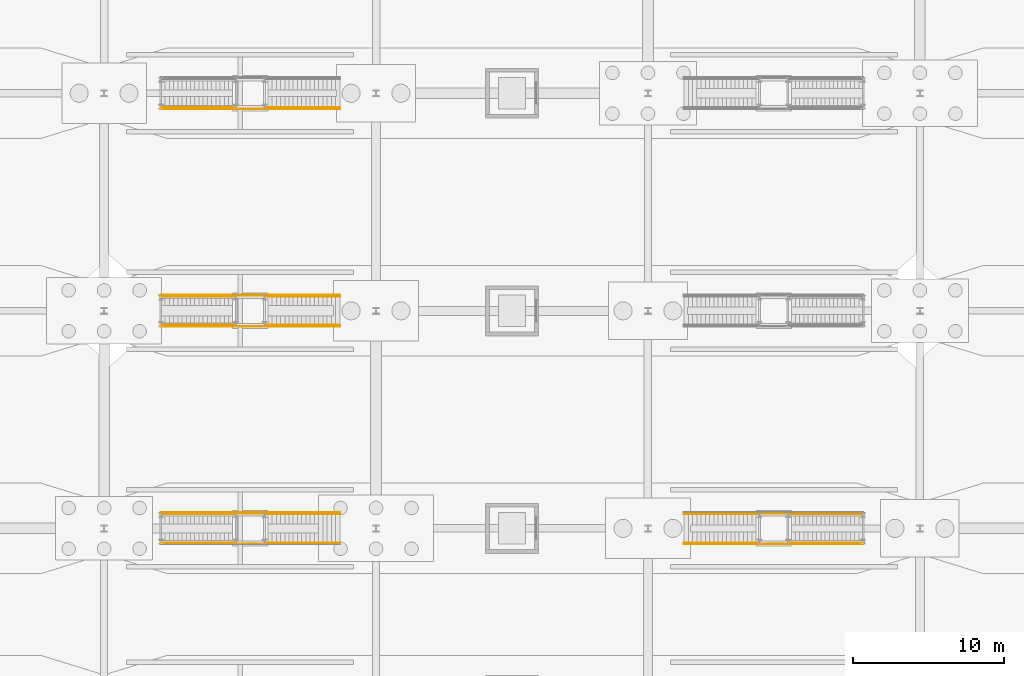
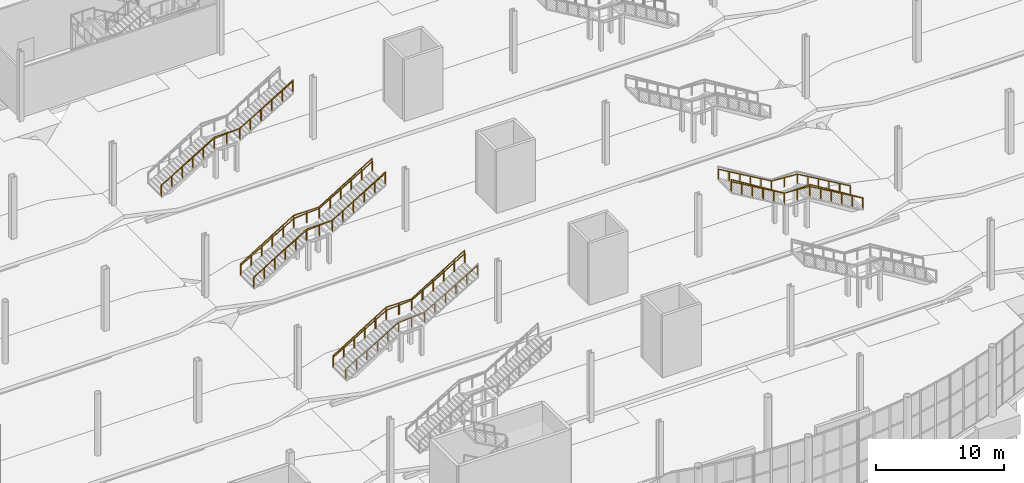
# One storey, part 102 of 115: 12 railings.
"""IFC4 building model written with IfcOpenShell, lengths in metres."""

from ifc_helpers import new_model, si_unit, direction, frame, origin, origin_2d, place, context, subcontext, project, spatial, circle, extrude, material, type_object, element, save


model = new_model("IFC4")

# Units and contexts
model_context = context("Model", 3, precision=1e-05, world=origin(), true_north=direction((0.0, 1.0)))
body_context = subcontext(model_context, "Body", "Model", "MODEL_VIEW")
ifc_project = project(units=[si_unit("LENGTHUNIT", "METRE"), si_unit("AREAUNIT", "SQUARE_METRE"), si_unit("VOLUMEUNIT", "CUBIC_METRE"), si_unit("PLANEANGLEUNIT", "RADIAN"), si_unit("MASSUNIT", "GRAM", prefix="KILO")], contexts=[model_context])

# Site, building, storey
site_placement = place(None, origin())
site = spatial("IfcSite", under=ifc_project, at=site_placement, CompositionType="ELEMENT")
building_placement = place(site_placement, origin())
building = spatial("IfcBuilding", under=site, at=building_placement, Name="Tamarisk Ironworks Central Station", CompositionType="ELEMENT")
storey_placement = place(building_placement, origin())
storey = spatial("IfcBuildingStorey", under=building, at=storey_placement, Name="L00", CompositionType="ELEMENT", Elevation=0.0)

# Railings
ifc_material = material(Name="Brushed stainless steel AISI 316", Category="steel")
railing_type_1 = type_object("IfcRailingType", Name="RL-GUARD-INT", PredefinedType="BALUSTRADE", material=ifc_material)
railing_1_placement = place(storey_placement, frame((57.760009765625, 37.0400390625, 0.719970703125)))
element("IfcRailing", 1, at=railing_1_placement, inside=storey, type_object=railing_type_1, Name="ST-P2A flight guard N", PredefinedType="BALUSTRADE", context=body_context, shape_type="SweptSolid", body=[
    extrude(circle(Radius=0.02392578125, at=origin_2d()), frame((0.0, 0.0, 1.09619140625), z_axis=(0.850803161698, 0.0, 0.525484519319), x_axis=(0.0, 1.0, 0.0)), (0.0, 0.0, 1.0), 5.5947265625),
    extrude(circle(Radius=0.02392578125, at=origin_2d()), frame((4.760009765625, 0.0, 4.0361328125), z_axis=(1.0, 0.0, 0.0), x_axis=(0.0, 1.0, 0.0)), (0.0, 0.0, 1.0), 2.320068359375),
    extrude(circle(Radius=0.02392578125, at=origin_2d()), frame((7.080078125, 0.0, 4.0361328125), z_axis=(0.850783651871, 0.0, 0.525516106041), x_axis=(0.0, 1.0, 0.0)), (0.0, 0.0, 1.0), 5.594970703125),
    extrude(circle(Radius=0.02099609375, at=origin_2d()), origin(), (0.0, 0.0, 1.0), 1.072021484375),
    extrude(circle(Radius=0.02099609375, at=origin_2d()), frame((0.951904296875, 0.0, 0.587890625)), (0.0, 0.0, 1.0), 1.072021484375),
    extrude(circle(Radius=0.02099609375, at=origin_2d()), frame((1.904052734375, 0.0, 1.176025390625)), (0.0, 0.0, 1.0), 1.072021484375),
    extrude(circle(Radius=0.02099609375, at=origin_2d()), frame((2.85595703125, 0.0, 1.763916015625)), (0.0, 0.0, 1.0), 1.072021484375),
    extrude(circle(Radius=0.02099609375, at=origin_2d()), frame((3.80810546875, 0.0, 2.35205078125)), (0.0, 0.0, 1.0), 1.072021484375),
    extrude(circle(Radius=0.02099609375, at=origin_2d()), frame((4.760009765625, 0.0, 2.93994140625)), (0.0, 0.0, 1.0), 1.072021484375),
    extrude(circle(Radius=0.02099609375, at=origin_2d()), frame((5.919921875, 0.0, 2.93994140625)), (0.0, 0.0, 1.0), 1.072021484375),
    extrude(circle(Radius=0.02099609375, at=origin_2d()), frame((7.080078125, 0.0, 2.93994140625)), (0.0, 0.0, 1.0), 1.072021484375),
    extrude(circle(Radius=0.02099609375, at=origin_2d()), frame((8.031982421875, 0.0, 3.528076171875)), (0.0, 0.0, 1.0), 1.072021484375),
    extrude(circle(Radius=0.02099609375, at=origin_2d()), frame((8.984130859375, 0.0, 4.115966796875)), (0.0, 0.0, 1.0), 1.072021484375),
    extrude(circle(Radius=0.02099609375, at=origin_2d()), frame((9.93603515625, 0.0, 4.7041015625)), (0.0, 0.0, 1.0), 1.072021484375),
    extrude(circle(Radius=0.02099609375, at=origin_2d()), frame((10.88818359375, 0.0, 5.2919921875)), (0.0, 0.0, 1.0), 1.072021484375),
    extrude(circle(Radius=0.02099609375, at=origin_2d()), frame((11.840087890625, 0.0, 5.880126953125)), (0.0, 0.0, 1.0), 1.072021484375),
])
railing_2_placement = place(storey_placement, frame((104.239990234375, 34.9599609375, 0.719970703125)))
element("IfcRailing", 2, at=railing_2_placement, inside=storey, type_object=railing_type_1, Name="ST-P2B flight guard S", PredefinedType="BALUSTRADE", context=body_context, shape_type="SweptSolid", body=[
    extrude(circle(Radius=0.02392578125, at=origin_2d()), frame((0.0, 0.0, 1.09619140625), z_axis=(-0.850803161698, 0.0, 0.525484519319), x_axis=(0.0, -1.0, 0.0)), (0.0, 0.0, 1.0), 5.5947265625),
    extrude(circle(Radius=0.02392578125, at=origin_2d()), frame((-4.760009765625, 0.0, 4.0361328125), z_axis=(-1.0, 0.0, 0.0), x_axis=(0.0, -1.0, 0.0)), (0.0, 0.0, 1.0), 2.320068359375),
    extrude(circle(Radius=0.02392578125, at=origin_2d()), frame((-7.080078125, 0.0, 4.0361328125), z_axis=(-0.850783651871, 0.0, 0.525516106041), x_axis=(0.0, -1.0, 0.0)), (0.0, 0.0, 1.0), 5.594970703125),
    extrude(circle(Radius=0.02099609375, at=origin_2d()), origin(), (0.0, 0.0, 1.0), 1.072021484375),
    extrude(circle(Radius=0.02099609375, at=origin_2d()), frame((-0.951904296875, 0.0, 0.587890625)), (0.0, 0.0, 1.0), 1.072021484375),
    extrude(circle(Radius=0.02099609375, at=origin_2d()), frame((-1.904052734375, 0.0, 1.176025390625)), (0.0, 0.0, 1.0), 1.072021484375),
    extrude(circle(Radius=0.02099609375, at=origin_2d()), frame((-2.85595703125, 0.0, 1.763916015625)), (0.0, 0.0, 1.0), 1.072021484375),
    extrude(circle(Radius=0.02099609375, at=origin_2d()), frame((-3.80810546875, 0.0, 2.35205078125)), (0.0, 0.0, 1.0), 1.072021484375),
    extrude(circle(Radius=0.02099609375, at=origin_2d()), frame((-4.760009765625, 0.0, 2.93994140625)), (0.0, 0.0, 1.0), 1.072021484375),
    extrude(circle(Radius=0.02099609375, at=origin_2d()), frame((-5.919921875, 0.0, 2.93994140625)), (0.0, 0.0, 1.0), 1.072021484375),
    extrude(circle(Radius=0.02099609375, at=origin_2d()), frame((-7.080078125, 0.0, 2.93994140625)), (0.0, 0.0, 1.0), 1.072021484375),
    extrude(circle(Radius=0.02099609375, at=origin_2d()), frame((-8.031982421875, 0.0, 3.528076171875)), (0.0, 0.0, 1.0), 1.072021484375),
    extrude(circle(Radius=0.02099609375, at=origin_2d()), frame((-8.984130859375, 0.0, 4.115966796875)), (0.0, 0.0, 1.0), 1.072021484375),
    extrude(circle(Radius=0.02099609375, at=origin_2d()), frame((-9.93603515625, 0.0, 4.7041015625)), (0.0, 0.0, 1.0), 1.072021484375),
    extrude(circle(Radius=0.02099609375, at=origin_2d()), frame((-10.88818359375, 0.0, 5.2919921875)), (0.0, 0.0, 1.0), 1.072021484375),
    extrude(circle(Radius=0.02099609375, at=origin_2d()), frame((-11.840087890625, 0.0, 5.880126953125)), (0.0, 0.0, 1.0), 1.072021484375),
])
railing_3_placement = place(storey_placement, frame((57.760009765625, 49.360107421875, 0.719970703125)))
element("IfcRailing", 3, at=railing_3_placement, inside=storey, type_object=railing_type_1, Name="ST-P3A flight guard S", PredefinedType="BALUSTRADE", context=body_context, shape_type="SweptSolid", body=[
    extrude(circle(Radius=0.02392578125, at=origin_2d()), frame((0.0, 0.0, 1.09619140625), z_axis=(0.850803161698, 0.0, 0.525484519319), x_axis=(0.0, 1.0, 0.0)), (0.0, 0.0, 1.0), 5.5947265625),
    extrude(circle(Radius=0.02392578125, at=origin_2d()), frame((4.760009765625, 0.0, 4.0361328125), z_axis=(1.0, 0.0, 0.0), x_axis=(0.0, 1.0, 0.0)), (0.0, 0.0, 1.0), 2.320068359375),
    extrude(circle(Radius=0.02392578125, at=origin_2d()), frame((7.080078125, 0.0, 4.0361328125), z_axis=(0.850783651871, 0.0, 0.525516106041), x_axis=(0.0, 1.0, 0.0)), (0.0, 0.0, 1.0), 5.594970703125),
    extrude(circle(Radius=0.02099609375, at=origin_2d()), origin(), (0.0, 0.0, 1.0), 1.072021484375),
    extrude(circle(Radius=0.02099609375, at=origin_2d()), frame((0.951904296875, 0.0, 0.587890625)), (0.0, 0.0, 1.0), 1.072021484375),
    extrude(circle(Radius=0.02099609375, at=origin_2d()), frame((1.904052734375, 0.0, 1.176025390625)), (0.0, 0.0, 1.0), 1.072021484375),
    extrude(circle(Radius=0.02099609375, at=origin_2d()), frame((2.85595703125, 0.0, 1.763916015625)), (0.0, 0.0, 1.0), 1.072021484375),
    extrude(circle(Radius=0.02099609375, at=origin_2d()), frame((3.80810546875, 0.0, 2.35205078125)), (0.0, 0.0, 1.0), 1.072021484375),
    extrude(circle(Radius=0.02099609375, at=origin_2d()), frame((4.760009765625, 0.0, 2.93994140625)), (0.0, 0.0, 1.0), 1.072021484375),
    extrude(circle(Radius=0.02099609375, at=origin_2d()), frame((5.919921875, 0.0, 2.93994140625)), (0.0, 0.0, 1.0), 1.072021484375),
    extrude(circle(Radius=0.02099609375, at=origin_2d()), frame((7.080078125, 0.0, 2.93994140625)), (0.0, 0.0, 1.0), 1.072021484375),
    extrude(circle(Radius=0.02099609375, at=origin_2d()), frame((8.031982421875, 0.0, 3.528076171875)), (0.0, 0.0, 1.0), 1.072021484375),
    extrude(circle(Radius=0.02099609375, at=origin_2d()), frame((8.984130859375, 0.0, 4.115966796875)), (0.0, 0.0, 1.0), 1.072021484375),
    extrude(circle(Radius=0.02099609375, at=origin_2d()), frame((9.93603515625, 0.0, 4.7041015625)), (0.0, 0.0, 1.0), 1.072021484375),
    extrude(circle(Radius=0.02099609375, at=origin_2d()), frame((10.88818359375, 0.0, 5.2919921875)), (0.0, 0.0, 1.0), 1.072021484375),
    extrude(circle(Radius=0.02099609375, at=origin_2d()), frame((11.840087890625, 0.0, 5.880126953125)), (0.0, 0.0, 1.0), 1.072021484375),
])
railing_4_placement = place(storey_placement, frame((57.760009765625, 51.43994140625, 0.719970703125)))
element("IfcRailing", 4, at=railing_4_placement, inside=storey, type_object=railing_type_1, Name="ST-P3A flight guard N", PredefinedType="BALUSTRADE", context=body_context, shape_type="SweptSolid", body=[
    extrude(circle(Radius=0.02392578125, at=origin_2d()), frame((0.0, 0.0, 1.09619140625), z_axis=(0.850803161698, 0.0, 0.525484519319), x_axis=(0.0, 1.0, 0.0)), (0.0, 0.0, 1.0), 5.5947265625),
    extrude(circle(Radius=0.02392578125, at=origin_2d()), frame((4.760009765625, 0.0, 4.0361328125), z_axis=(1.0, 0.0, 0.0), x_axis=(0.0, 1.0, 0.0)), (0.0, 0.0, 1.0), 2.320068359375),
    extrude(circle(Radius=0.02392578125, at=origin_2d()), frame((7.080078125, 0.0, 4.0361328125), z_axis=(0.850783651871, 0.0, 0.525516106041), x_axis=(0.0, 1.0, 0.0)), (0.0, 0.0, 1.0), 5.594970703125),
    extrude(circle(Radius=0.02099609375, at=origin_2d()), origin(), (0.0, 0.0, 1.0), 1.072021484375),
    extrude(circle(Radius=0.02099609375, at=origin_2d()), frame((0.951904296875, 0.0, 0.587890625)), (0.0, 0.0, 1.0), 1.072021484375),
    extrude(circle(Radius=0.02099609375, at=origin_2d()), frame((1.904052734375, 0.0, 1.176025390625)), (0.0, 0.0, 1.0), 1.072021484375),
    extrude(circle(Radius=0.02099609375, at=origin_2d()), frame((2.85595703125, 0.0, 1.763916015625)), (0.0, 0.0, 1.0), 1.072021484375),
    extrude(circle(Radius=0.02099609375, at=origin_2d()), frame((3.80810546875, 0.0, 2.35205078125)), (0.0, 0.0, 1.0), 1.072021484375),
    extrude(circle(Radius=0.02099609375, at=origin_2d()), frame((4.760009765625, 0.0, 2.93994140625)), (0.0, 0.0, 1.0), 1.072021484375),
    extrude(circle(Radius=0.02099609375, at=origin_2d()), frame((5.919921875, 0.0, 2.93994140625)), (0.0, 0.0, 1.0), 1.072021484375),
    extrude(circle(Radius=0.02099609375, at=origin_2d()), frame((7.080078125, 0.0, 2.93994140625)), (0.0, 0.0, 1.0), 1.072021484375),
    extrude(circle(Radius=0.02099609375, at=origin_2d()), frame((8.031982421875, 0.0, 3.528076171875)), (0.0, 0.0, 1.0), 1.072021484375),
    extrude(circle(Radius=0.02099609375, at=origin_2d()), frame((8.984130859375, 0.0, 4.115966796875)), (0.0, 0.0, 1.0), 1.072021484375),
    extrude(circle(Radius=0.02099609375, at=origin_2d()), frame((9.93603515625, 0.0, 4.7041015625)), (0.0, 0.0, 1.0), 1.072021484375),
    extrude(circle(Radius=0.02099609375, at=origin_2d()), frame((10.88818359375, 0.0, 5.2919921875)), (0.0, 0.0, 1.0), 1.072021484375),
    extrude(circle(Radius=0.02099609375, at=origin_2d()), frame((11.840087890625, 0.0, 5.880126953125)), (0.0, 0.0, 1.0), 1.072021484375),
])
railing_5_placement = place(storey_placement, frame((57.760009765625, 63.760009765625, 0.719970703125)))
element("IfcRailing", 5, at=railing_5_placement, inside=storey, type_object=railing_type_1, Name="ST-P4A flight guard S", PredefinedType="BALUSTRADE", context=body_context, shape_type="SweptSolid", body=[
    extrude(circle(Radius=0.02392578125, at=origin_2d()), frame((0.0, 0.0, 1.09619140625), z_axis=(0.850803161698, 0.0, 0.525484519319), x_axis=(0.0, 1.0, 0.0)), (0.0, 0.0, 1.0), 5.5947265625),
    extrude(circle(Radius=0.02392578125, at=origin_2d()), frame((4.760009765625, 0.0, 4.0361328125), z_axis=(1.0, 0.0, 0.0), x_axis=(0.0, 1.0, 0.0)), (0.0, 0.0, 1.0), 2.320068359375),
    extrude(circle(Radius=0.02392578125, at=origin_2d()), frame((7.080078125, 0.0, 4.0361328125), z_axis=(0.850783651871, 0.0, 0.525516106041), x_axis=(0.0, 1.0, 0.0)), (0.0, 0.0, 1.0), 5.594970703125),
    extrude(circle(Radius=0.02099609375, at=origin_2d()), origin(), (0.0, 0.0, 1.0), 1.072021484375),
    extrude(circle(Radius=0.02099609375, at=origin_2d()), frame((0.951904296875, 0.0, 0.587890625)), (0.0, 0.0, 1.0), 1.072021484375),
    extrude(circle(Radius=0.02099609375, at=origin_2d()), frame((1.904052734375, 0.0, 1.176025390625)), (0.0, 0.0, 1.0), 1.072021484375),
    extrude(circle(Radius=0.02099609375, at=origin_2d()), frame((2.85595703125, 0.0, 1.763916015625)), (0.0, 0.0, 1.0), 1.072021484375),
    extrude(circle(Radius=0.02099609375, at=origin_2d()), frame((3.80810546875, 0.0, 2.35205078125)), (0.0, 0.0, 1.0), 1.072021484375),
    extrude(circle(Radius=0.02099609375, at=origin_2d()), frame((4.760009765625, 0.0, 2.93994140625)), (0.0, 0.0, 1.0), 1.072021484375),
    extrude(circle(Radius=0.02099609375, at=origin_2d()), frame((5.919921875, 0.0, 2.93994140625)), (0.0, 0.0, 1.0), 1.072021484375),
    extrude(circle(Radius=0.02099609375, at=origin_2d()), frame((7.080078125, 0.0, 2.93994140625)), (0.0, 0.0, 1.0), 1.072021484375),
    extrude(circle(Radius=0.02099609375, at=origin_2d()), frame((8.031982421875, 0.0, 3.528076171875)), (0.0, 0.0, 1.0), 1.072021484375),
    extrude(circle(Radius=0.02099609375, at=origin_2d()), frame((8.984130859375, 0.0, 4.115966796875)), (0.0, 0.0, 1.0), 1.072021484375),
    extrude(circle(Radius=0.02099609375, at=origin_2d()), frame((9.93603515625, 0.0, 4.7041015625)), (0.0, 0.0, 1.0), 1.072021484375),
    extrude(circle(Radius=0.02099609375, at=origin_2d()), frame((10.88818359375, 0.0, 5.2919921875)), (0.0, 0.0, 1.0), 1.072021484375),
    extrude(circle(Radius=0.02099609375, at=origin_2d()), frame((11.840087890625, 0.0, 5.880126953125)), (0.0, 0.0, 1.0), 1.072021484375),
])
railing_type_2 = type_object("IfcRailingType", Name="RL-HAND", PredefinedType="HANDRAIL", material=ifc_material)
railing_6_placement = place(storey_placement, frame((57.760009765625, 35.0400390625, 0.88330078125)))
element("IfcRailing", 6, at=railing_6_placement, inside=storey, type_object=railing_type_2, Name="ST-P2A handrail S", PredefinedType="HANDRAIL", context=body_context, shape_type="SweptSolid", body=[
    extrude(circle(Radius=0.02392578125, at=origin_2d()), frame((0.0, 0.0, 0.8759765625), z_axis=(0.863783721438, 0.0, 0.503862761651), x_axis=(0.0, 1.0, 0.0)), (0.0, 0.0, 1.0), 5.5107421875),
    extrude(circle(Radius=0.02392578125, at=origin_2d()), frame((4.760009765625, 0.0, 3.65234375), z_axis=(0.997531175799, 0.0, 0.070225019111), x_axis=(0.0, 1.0, 0.0)), (0.0, 0.0, 1.0), 2.325927734375),
    extrude(circle(Radius=0.02392578125, at=origin_2d()), frame((7.080078125, 0.0, 3.81591796875), z_axis=(0.863764439128, 0.0, 0.503895816313), x_axis=(0.0, 1.0, 0.0)), (0.0, 0.0, 1.0), 5.5107421875),
    extrude(circle(Radius=0.02099609375, at=origin_2d()), origin(), (0.0, 0.0, 1.0), 0.851806640625),
    extrude(circle(Radius=0.02099609375, at=origin_2d()), frame((0.951904296875, 0.0, 0.555419921875)), (0.0, 0.0, 1.0), 0.851806640625),
    extrude(circle(Radius=0.02099609375, at=origin_2d()), frame((1.904052734375, 0.0, 1.110595703125)), (0.0, 0.0, 1.0), 0.851806640625),
    extrude(circle(Radius=0.02099609375, at=origin_2d()), frame((2.85595703125, 0.0, 1.666015625)), (0.0, 0.0, 1.0), 0.851806640625),
    extrude(circle(Radius=0.02099609375, at=origin_2d()), frame((3.80810546875, 0.0, 2.22119140625)), (0.0, 0.0, 1.0), 0.851806640625),
    extrude(circle(Radius=0.02099609375, at=origin_2d()), frame((4.760009765625, 0.0, 2.776611328125)), (0.0, 0.0, 1.0), 0.851806640625),
    extrude(circle(Radius=0.02099609375, at=origin_2d()), frame((5.919921875, 0.0, 2.8583984375)), (0.0, 0.0, 1.0), 0.851806640625),
    extrude(circle(Radius=0.02099609375, at=origin_2d()), frame((7.080078125, 0.0, 2.93994140625)), (0.0, 0.0, 1.0), 0.851806640625),
    extrude(circle(Radius=0.02099609375, at=origin_2d()), frame((8.031982421875, 0.0, 3.495361328125)), (0.0, 0.0, 1.0), 0.851806640625),
    extrude(circle(Radius=0.02099609375, at=origin_2d()), frame((8.984130859375, 0.0, 4.05078125)), (0.0, 0.0, 1.0), 0.851806640625),
    extrude(circle(Radius=0.02099609375, at=origin_2d()), frame((9.93603515625, 0.0, 4.60595703125)), (0.0, 0.0, 1.0), 0.851806640625),
    extrude(circle(Radius=0.02099609375, at=origin_2d()), frame((10.88818359375, 0.0, 5.161376953125)), (0.0, 0.0, 1.0), 0.851806640625),
    extrude(circle(Radius=0.02099609375, at=origin_2d()), frame((11.840087890625, 0.0, 5.716796875)), (0.0, 0.0, 1.0), 0.851806640625),
])
railing_7_placement = place(storey_placement, frame((57.760009765625, 36.9599609375, 0.88330078125)))
element("IfcRailing", 7, at=railing_7_placement, inside=storey, type_object=railing_type_2, Name="ST-P2A handrail N", PredefinedType="HANDRAIL", context=body_context, shape_type="SweptSolid", body=[
    extrude(circle(Radius=0.02392578125, at=origin_2d()), frame((0.0, 0.0, 0.8759765625), z_axis=(0.863783721438, 0.0, 0.503862761651), x_axis=(0.0, 1.0, 0.0)), (0.0, 0.0, 1.0), 5.5107421875),
    extrude(circle(Radius=0.02392578125, at=origin_2d()), frame((4.760009765625, 0.0, 3.65234375), z_axis=(0.997531175799, 0.0, 0.070225019111), x_axis=(0.0, 1.0, 0.0)), (0.0, 0.0, 1.0), 2.325927734375),
    extrude(circle(Radius=0.02392578125, at=origin_2d()), frame((7.080078125, 0.0, 3.81591796875), z_axis=(0.863764439128, 0.0, 0.503895816313), x_axis=(0.0, 1.0, 0.0)), (0.0, 0.0, 1.0), 5.5107421875),
    extrude(circle(Radius=0.02099609375, at=origin_2d()), origin(), (0.0, 0.0, 1.0), 0.851806640625),
    extrude(circle(Radius=0.02099609375, at=origin_2d()), frame((0.951904296875, 0.0, 0.555419921875)), (0.0, 0.0, 1.0), 0.851806640625),
    extrude(circle(Radius=0.02099609375, at=origin_2d()), frame((1.904052734375, 0.0, 1.110595703125)), (0.0, 0.0, 1.0), 0.851806640625),
    extrude(circle(Radius=0.02099609375, at=origin_2d()), frame((2.85595703125, 0.0, 1.666015625)), (0.0, 0.0, 1.0), 0.851806640625),
    extrude(circle(Radius=0.02099609375, at=origin_2d()), frame((3.80810546875, 0.0, 2.22119140625)), (0.0, 0.0, 1.0), 0.851806640625),
    extrude(circle(Radius=0.02099609375, at=origin_2d()), frame((4.760009765625, 0.0, 2.776611328125)), (0.0, 0.0, 1.0), 0.851806640625),
    extrude(circle(Radius=0.02099609375, at=origin_2d()), frame((5.919921875, 0.0, 2.8583984375)), (0.0, 0.0, 1.0), 0.851806640625),
    extrude(circle(Radius=0.02099609375, at=origin_2d()), frame((7.080078125, 0.0, 2.93994140625)), (0.0, 0.0, 1.0), 0.851806640625),
    extrude(circle(Radius=0.02099609375, at=origin_2d()), frame((8.031982421875, 0.0, 3.495361328125)), (0.0, 0.0, 1.0), 0.851806640625),
    extrude(circle(Radius=0.02099609375, at=origin_2d()), frame((8.984130859375, 0.0, 4.05078125)), (0.0, 0.0, 1.0), 0.851806640625),
    extrude(circle(Radius=0.02099609375, at=origin_2d()), frame((9.93603515625, 0.0, 4.60595703125)), (0.0, 0.0, 1.0), 0.851806640625),
    extrude(circle(Radius=0.02099609375, at=origin_2d()), frame((10.88818359375, 0.0, 5.161376953125)), (0.0, 0.0, 1.0), 0.851806640625),
    extrude(circle(Radius=0.02099609375, at=origin_2d()), frame((11.840087890625, 0.0, 5.716796875)), (0.0, 0.0, 1.0), 0.851806640625),
])
railing_8_placement = place(storey_placement, frame((104.239990234375, 35.0400390625, 0.88330078125)))
element("IfcRailing", 8, at=railing_8_placement, inside=storey, type_object=railing_type_2, Name="ST-P2B handrail S", PredefinedType="HANDRAIL", context=body_context, shape_type="SweptSolid", body=[
    extrude(circle(Radius=0.02392578125, at=origin_2d()), frame((0.0, 0.0, 0.8759765625), z_axis=(-0.863783721438, 0.0, 0.503862761651), x_axis=(0.0, -1.0, 0.0)), (0.0, 0.0, 1.0), 5.5107421875),
    extrude(circle(Radius=0.02392578125, at=origin_2d()), frame((-4.760009765625, 0.0, 3.65234375), z_axis=(-0.997531175799, 0.0, 0.070225019111), x_axis=(0.0, -1.0, 0.0)), (0.0, 0.0, 1.0), 2.325927734375),
    extrude(circle(Radius=0.02392578125, at=origin_2d()), frame((-7.080078125, 0.0, 3.81591796875), z_axis=(-0.863764439128, 0.0, 0.503895816313), x_axis=(0.0, -1.0, 0.0)), (0.0, 0.0, 1.0), 5.5107421875),
    extrude(circle(Radius=0.02099609375, at=origin_2d()), origin(), (0.0, 0.0, 1.0), 0.851806640625),
    extrude(circle(Radius=0.02099609375, at=origin_2d()), frame((-0.951904296875, 0.0, 0.555419921875)), (0.0, 0.0, 1.0), 0.851806640625),
    extrude(circle(Radius=0.02099609375, at=origin_2d()), frame((-1.904052734375, 0.0, 1.110595703125)), (0.0, 0.0, 1.0), 0.851806640625),
    extrude(circle(Radius=0.02099609375, at=origin_2d()), frame((-2.85595703125, 0.0, 1.666015625)), (0.0, 0.0, 1.0), 0.851806640625),
    extrude(circle(Radius=0.02099609375, at=origin_2d()), frame((-3.80810546875, 0.0, 2.22119140625)), (0.0, 0.0, 1.0), 0.851806640625),
    extrude(circle(Radius=0.02099609375, at=origin_2d()), frame((-4.760009765625, 0.0, 2.776611328125)), (0.0, 0.0, 1.0), 0.851806640625),
    extrude(circle(Radius=0.02099609375, at=origin_2d()), frame((-5.919921875, 0.0, 2.8583984375)), (0.0, 0.0, 1.0), 0.851806640625),
    extrude(circle(Radius=0.02099609375, at=origin_2d()), frame((-7.080078125, 0.0, 2.93994140625)), (0.0, 0.0, 1.0), 0.851806640625),
    extrude(circle(Radius=0.02099609375, at=origin_2d()), frame((-8.031982421875, 0.0, 3.495361328125)), (0.0, 0.0, 1.0), 0.851806640625),
    extrude(circle(Radius=0.02099609375, at=origin_2d()), frame((-8.984130859375, 0.0, 4.05078125)), (0.0, 0.0, 1.0), 0.851806640625),
    extrude(circle(Radius=0.02099609375, at=origin_2d()), frame((-9.93603515625, 0.0, 4.60595703125)), (0.0, 0.0, 1.0), 0.851806640625),
    extrude(circle(Radius=0.02099609375, at=origin_2d()), frame((-10.88818359375, 0.0, 5.161376953125)), (0.0, 0.0, 1.0), 0.851806640625),
    extrude(circle(Radius=0.02099609375, at=origin_2d()), frame((-11.840087890625, 0.0, 5.716796875)), (0.0, 0.0, 1.0), 0.851806640625),
])
railing_9_placement = place(storey_placement, frame((104.239990234375, 36.9599609375, 0.88330078125)))
element("IfcRailing", 9, at=railing_9_placement, inside=storey, type_object=railing_type_2, Name="ST-P2B handrail N", PredefinedType="HANDRAIL", context=body_context, shape_type="SweptSolid", body=[
    extrude(circle(Radius=0.02392578125, at=origin_2d()), frame((0.0, 0.0, 0.8759765625), z_axis=(-0.863783721438, 0.0, 0.503862761651), x_axis=(0.0, -1.0, 0.0)), (0.0, 0.0, 1.0), 5.5107421875),
    extrude(circle(Radius=0.02392578125, at=origin_2d()), frame((-4.760009765625, 0.0, 3.65234375), z_axis=(-0.997531175799, 0.0, 0.070225019111), x_axis=(0.0, -1.0, 0.0)), (0.0, 0.0, 1.0), 2.325927734375),
    extrude(circle(Radius=0.02392578125, at=origin_2d()), frame((-7.080078125, 0.0, 3.81591796875), z_axis=(-0.863764439128, 0.0, 0.503895816313), x_axis=(0.0, -1.0, 0.0)), (0.0, 0.0, 1.0), 5.5107421875),
    extrude(circle(Radius=0.02099609375, at=origin_2d()), origin(), (0.0, 0.0, 1.0), 0.851806640625),
    extrude(circle(Radius=0.02099609375, at=origin_2d()), frame((-0.951904296875, 0.0, 0.555419921875)), (0.0, 0.0, 1.0), 0.851806640625),
    extrude(circle(Radius=0.02099609375, at=origin_2d()), frame((-1.904052734375, 0.0, 1.110595703125)), (0.0, 0.0, 1.0), 0.851806640625),
    extrude(circle(Radius=0.02099609375, at=origin_2d()), frame((-2.85595703125, 0.0, 1.666015625)), (0.0, 0.0, 1.0), 0.851806640625),
    extrude(circle(Radius=0.02099609375, at=origin_2d()), frame((-3.80810546875, 0.0, 2.22119140625)), (0.0, 0.0, 1.0), 0.851806640625),
    extrude(circle(Radius=0.02099609375, at=origin_2d()), frame((-4.760009765625, 0.0, 2.776611328125)), (0.0, 0.0, 1.0), 0.851806640625),
    extrude(circle(Radius=0.02099609375, at=origin_2d()), frame((-5.919921875, 0.0, 2.8583984375)), (0.0, 0.0, 1.0), 0.851806640625),
    extrude(circle(Radius=0.02099609375, at=origin_2d()), frame((-7.080078125, 0.0, 2.93994140625)), (0.0, 0.0, 1.0), 0.851806640625),
    extrude(circle(Radius=0.02099609375, at=origin_2d()), frame((-8.031982421875, 0.0, 3.495361328125)), (0.0, 0.0, 1.0), 0.851806640625),
    extrude(circle(Radius=0.02099609375, at=origin_2d()), frame((-8.984130859375, 0.0, 4.05078125)), (0.0, 0.0, 1.0), 0.851806640625),
    extrude(circle(Radius=0.02099609375, at=origin_2d()), frame((-9.93603515625, 0.0, 4.60595703125)), (0.0, 0.0, 1.0), 0.851806640625),
    extrude(circle(Radius=0.02099609375, at=origin_2d()), frame((-10.88818359375, 0.0, 5.161376953125)), (0.0, 0.0, 1.0), 0.851806640625),
    extrude(circle(Radius=0.02099609375, at=origin_2d()), frame((-11.840087890625, 0.0, 5.716796875)), (0.0, 0.0, 1.0), 0.851806640625),
])
railing_10_placement = place(storey_placement, frame((57.760009765625, 49.43994140625, 0.88330078125)))
element("IfcRailing", 10, at=railing_10_placement, inside=storey, type_object=railing_type_2, Name="ST-P3A handrail S", PredefinedType="HANDRAIL", context=body_context, shape_type="SweptSolid", body=[
    extrude(circle(Radius=0.02392578125, at=origin_2d()), frame((0.0, 0.0, 0.8759765625), z_axis=(0.863783721438, 0.0, 0.503862761651), x_axis=(0.0, 1.0, 0.0)), (0.0, 0.0, 1.0), 5.5107421875),
    extrude(circle(Radius=0.02392578125, at=origin_2d()), frame((4.760009765625, 0.0, 3.65234375), z_axis=(0.997531175799, 0.0, 0.070225019111), x_axis=(0.0, 1.0, 0.0)), (0.0, 0.0, 1.0), 2.325927734375),
    extrude(circle(Radius=0.02392578125, at=origin_2d()), frame((7.080078125, 0.0, 3.81591796875), z_axis=(0.863764439128, 0.0, 0.503895816313), x_axis=(0.0, 1.0, 0.0)), (0.0, 0.0, 1.0), 5.5107421875),
    extrude(circle(Radius=0.02099609375, at=origin_2d()), origin(), (0.0, 0.0, 1.0), 0.851806640625),
    extrude(circle(Radius=0.02099609375, at=origin_2d()), frame((0.951904296875, 0.0, 0.555419921875)), (0.0, 0.0, 1.0), 0.851806640625),
    extrude(circle(Radius=0.02099609375, at=origin_2d()), frame((1.904052734375, 0.0, 1.110595703125)), (0.0, 0.0, 1.0), 0.851806640625),
    extrude(circle(Radius=0.02099609375, at=origin_2d()), frame((2.85595703125, 0.0, 1.666015625)), (0.0, 0.0, 1.0), 0.851806640625),
    extrude(circle(Radius=0.02099609375, at=origin_2d()), frame((3.80810546875, 0.0, 2.22119140625)), (0.0, 0.0, 1.0), 0.851806640625),
    extrude(circle(Radius=0.02099609375, at=origin_2d()), frame((4.760009765625, 0.0, 2.776611328125)), (0.0, 0.0, 1.0), 0.851806640625),
    extrude(circle(Radius=0.02099609375, at=origin_2d()), frame((5.919921875, 0.0, 2.8583984375)), (0.0, 0.0, 1.0), 0.851806640625),
    extrude(circle(Radius=0.02099609375, at=origin_2d()), frame((7.080078125, 0.0, 2.93994140625)), (0.0, 0.0, 1.0), 0.851806640625),
    extrude(circle(Radius=0.02099609375, at=origin_2d()), frame((8.031982421875, 0.0, 3.495361328125)), (0.0, 0.0, 1.0), 0.851806640625),
    extrude(circle(Radius=0.02099609375, at=origin_2d()), frame((8.984130859375, 0.0, 4.05078125)), (0.0, 0.0, 1.0), 0.851806640625),
    extrude(circle(Radius=0.02099609375, at=origin_2d()), frame((9.93603515625, 0.0, 4.60595703125)), (0.0, 0.0, 1.0), 0.851806640625),
    extrude(circle(Radius=0.02099609375, at=origin_2d()), frame((10.88818359375, 0.0, 5.161376953125)), (0.0, 0.0, 1.0), 0.851806640625),
    extrude(circle(Radius=0.02099609375, at=origin_2d()), frame((11.840087890625, 0.0, 5.716796875)), (0.0, 0.0, 1.0), 0.851806640625),
])
railing_11_placement = place(storey_placement, frame((57.760009765625, 51.360107421875, 0.88330078125)))
element("IfcRailing", 11, at=railing_11_placement, inside=storey, type_object=railing_type_2, Name="ST-P3A handrail N", PredefinedType="HANDRAIL", context=body_context, shape_type="SweptSolid", body=[
    extrude(circle(Radius=0.02392578125, at=origin_2d()), frame((0.0, 0.0, 0.8759765625), z_axis=(0.863783721438, 0.0, 0.503862761651), x_axis=(0.0, 1.0, 0.0)), (0.0, 0.0, 1.0), 5.5107421875),
    extrude(circle(Radius=0.02392578125, at=origin_2d()), frame((4.760009765625, 0.0, 3.65234375), z_axis=(0.997531175799, 0.0, 0.070225019111), x_axis=(0.0, 1.0, 0.0)), (0.0, 0.0, 1.0), 2.325927734375),
    extrude(circle(Radius=0.02392578125, at=origin_2d()), frame((7.080078125, 0.0, 3.81591796875), z_axis=(0.863764439128, 0.0, 0.503895816313), x_axis=(0.0, 1.0, 0.0)), (0.0, 0.0, 1.0), 5.5107421875),
    extrude(circle(Radius=0.02099609375, at=origin_2d()), origin(), (0.0, 0.0, 1.0), 0.851806640625),
    extrude(circle(Radius=0.02099609375, at=origin_2d()), frame((0.951904296875, 0.0, 0.555419921875)), (0.0, 0.0, 1.0), 0.851806640625),
    extrude(circle(Radius=0.02099609375, at=origin_2d()), frame((1.904052734375, 0.0, 1.110595703125)), (0.0, 0.0, 1.0), 0.851806640625),
    extrude(circle(Radius=0.02099609375, at=origin_2d()), frame((2.85595703125, 0.0, 1.666015625)), (0.0, 0.0, 1.0), 0.851806640625),
    extrude(circle(Radius=0.02099609375, at=origin_2d()), frame((3.80810546875, 0.0, 2.22119140625)), (0.0, 0.0, 1.0), 0.851806640625),
    extrude(circle(Radius=0.02099609375, at=origin_2d()), frame((4.760009765625, 0.0, 2.776611328125)), (0.0, 0.0, 1.0), 0.851806640625),
    extrude(circle(Radius=0.02099609375, at=origin_2d()), frame((5.919921875, 0.0, 2.8583984375)), (0.0, 0.0, 1.0), 0.851806640625),
    extrude(circle(Radius=0.02099609375, at=origin_2d()), frame((7.080078125, 0.0, 2.93994140625)), (0.0, 0.0, 1.0), 0.851806640625),
    extrude(circle(Radius=0.02099609375, at=origin_2d()), frame((8.031982421875, 0.0, 3.495361328125)), (0.0, 0.0, 1.0), 0.851806640625),
    extrude(circle(Radius=0.02099609375, at=origin_2d()), frame((8.984130859375, 0.0, 4.05078125)), (0.0, 0.0, 1.0), 0.851806640625),
    extrude(circle(Radius=0.02099609375, at=origin_2d()), frame((9.93603515625, 0.0, 4.60595703125)), (0.0, 0.0, 1.0), 0.851806640625),
    extrude(circle(Radius=0.02099609375, at=origin_2d()), frame((10.88818359375, 0.0, 5.161376953125)), (0.0, 0.0, 1.0), 0.851806640625),
    extrude(circle(Radius=0.02099609375, at=origin_2d()), frame((11.840087890625, 0.0, 5.716796875)), (0.0, 0.0, 1.0), 0.851806640625),
])
railing_12_placement = place(storey_placement, frame((57.760009765625, 63.840087890625, 0.88330078125)))
element("IfcRailing", 12, at=railing_12_placement, inside=storey, type_object=railing_type_2, Name="ST-P4A handrail S", PredefinedType="HANDRAIL", context=body_context, shape_type="SweptSolid", body=[
    extrude(circle(Radius=0.02392578125, at=origin_2d()), frame((0.0, 0.0, 0.8759765625), z_axis=(0.863783721438, 0.0, 0.503862761651), x_axis=(0.0, 1.0, 0.0)), (0.0, 0.0, 1.0), 5.5107421875),
    extrude(circle(Radius=0.02392578125, at=origin_2d()), frame((4.760009765625, 0.0, 3.65234375), z_axis=(0.997531175799, 0.0, 0.070225019111), x_axis=(0.0, 1.0, 0.0)), (0.0, 0.0, 1.0), 2.325927734375),
    extrude(circle(Radius=0.02392578125, at=origin_2d()), frame((7.080078125, 0.0, 3.81591796875), z_axis=(0.863764439128, 0.0, 0.503895816313), x_axis=(0.0, 1.0, 0.0)), (0.0, 0.0, 1.0), 5.5107421875),
    extrude(circle(Radius=0.02099609375, at=origin_2d()), origin(), (0.0, 0.0, 1.0), 0.851806640625),
    extrude(circle(Radius=0.02099609375, at=origin_2d()), frame((0.951904296875, 0.0, 0.555419921875)), (0.0, 0.0, 1.0), 0.851806640625),
    extrude(circle(Radius=0.02099609375, at=origin_2d()), frame((1.904052734375, 0.0, 1.110595703125)), (0.0, 0.0, 1.0), 0.851806640625),
    extrude(circle(Radius=0.02099609375, at=origin_2d()), frame((2.85595703125, 0.0, 1.666015625)), (0.0, 0.0, 1.0), 0.851806640625),
    extrude(circle(Radius=0.02099609375, at=origin_2d()), frame((3.80810546875, 0.0, 2.22119140625)), (0.0, 0.0, 1.0), 0.851806640625),
    extrude(circle(Radius=0.02099609375, at=origin_2d()), frame((4.760009765625, 0.0, 2.776611328125)), (0.0, 0.0, 1.0), 0.851806640625),
    extrude(circle(Radius=0.02099609375, at=origin_2d()), frame((5.919921875, 0.0, 2.8583984375)), (0.0, 0.0, 1.0), 0.851806640625),
    extrude(circle(Radius=0.02099609375, at=origin_2d()), frame((7.080078125, 0.0, 2.93994140625)), (0.0, 0.0, 1.0), 0.851806640625),
    extrude(circle(Radius=0.02099609375, at=origin_2d()), frame((8.031982421875, 0.0, 3.495361328125)), (0.0, 0.0, 1.0), 0.851806640625),
    extrude(circle(Radius=0.02099609375, at=origin_2d()), frame((8.984130859375, 0.0, 4.05078125)), (0.0, 0.0, 1.0), 0.851806640625),
    extrude(circle(Radius=0.02099609375, at=origin_2d()), frame((9.93603515625, 0.0, 4.60595703125)), (0.0, 0.0, 1.0), 0.851806640625),
    extrude(circle(Radius=0.02099609375, at=origin_2d()), frame((10.88818359375, 0.0, 5.161376953125)), (0.0, 0.0, 1.0), 0.851806640625),
    extrude(circle(Radius=0.02099609375, at=origin_2d()), frame((11.840087890625, 0.0, 5.716796875)), (0.0, 0.0, 1.0), 0.851806640625),
])

save(model, "model.ifc")
